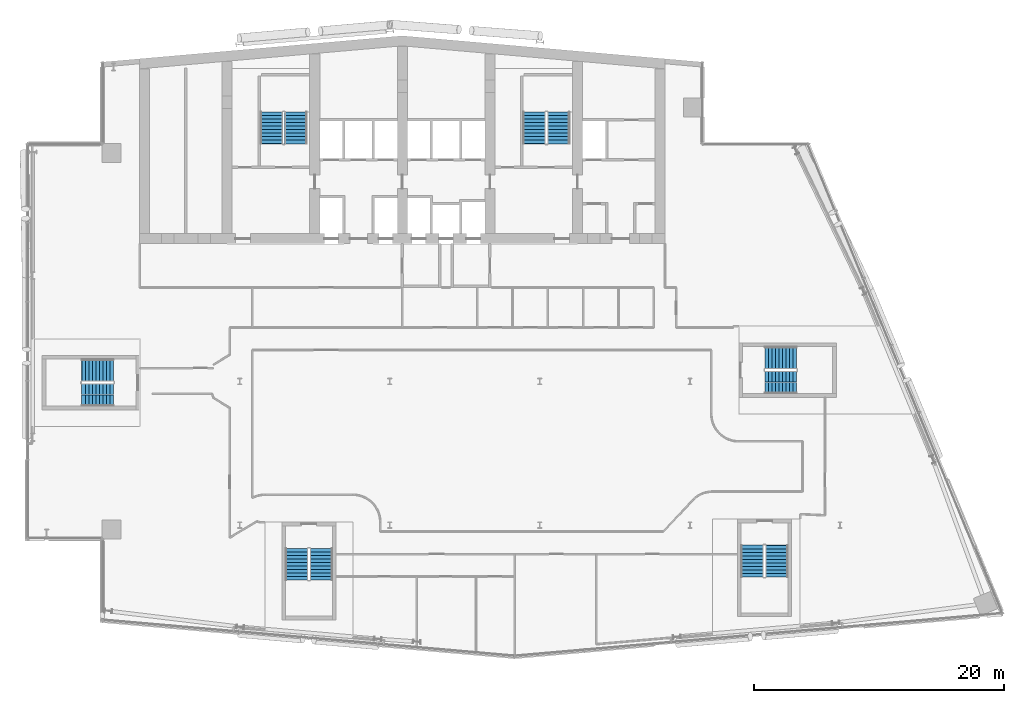
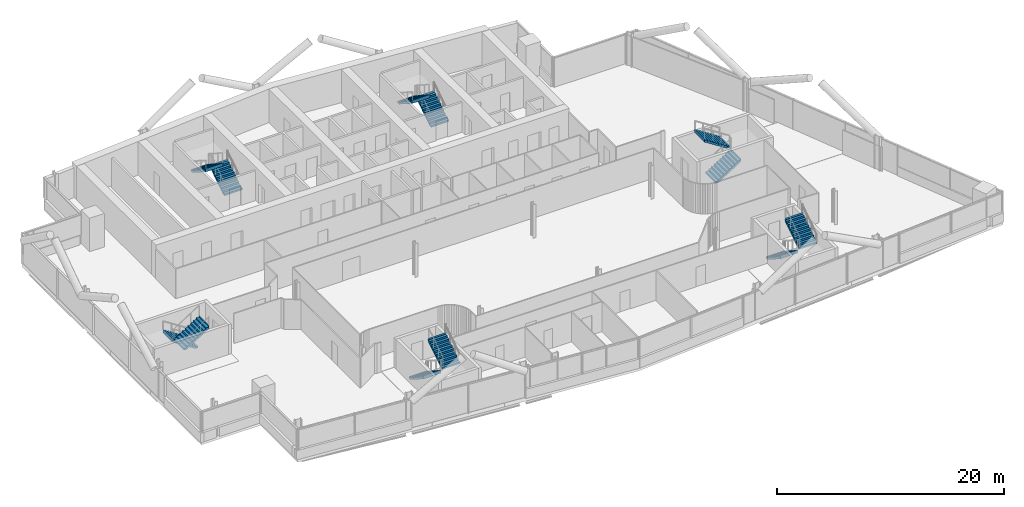
# One storey, part 22 of 29: 12 stair flights, 6 elements without a shape of their own.
"""IFC4 building model written with IfcOpenShell, lengths in metres."""

from ifc_helpers import new_model, si_unit, direction, frame, origin, place, context, subcontext, project, spatial, polyline, outline, extrude, material, type_object, element, aggregate, save


model = new_model("IFC4")

# Units and contexts
model_context = context("Model", 3, precision=1e-05, world=origin(), true_north=direction((0.0, 1.0)))
body_context = subcontext(model_context, "Body", "Model", "MODEL_VIEW")
ifc_project = project(units=[si_unit("LENGTHUNIT", "METRE"), si_unit("AREAUNIT", "SQUARE_METRE"), si_unit("VOLUMEUNIT", "CUBIC_METRE"), si_unit("PLANEANGLEUNIT", "RADIAN"), si_unit("MASSUNIT", "GRAM", prefix="KILO")], contexts=[model_context])

# Site, building, storey
site_placement = place(None, origin())
site = spatial("IfcSite", under=ifc_project, at=site_placement, CompositionType="ELEMENT")
building_placement = place(site_placement, origin())
building = spatial("IfcBuilding", under=site, at=building_placement, Name="Wharfspan Tower", CompositionType="ELEMENT")
storey_placement = place(building_placement, frame((0.0, 0.0, 155.5)))
storey = spatial("IfcBuildingStorey", under=building, at=storey_placement, Name="L37", CompositionType="ELEMENT", Elevation=155.5)

# Stair, stair flights
ifc_material = material(Name="Concrete C40/50", Category="concrete")
stair_type = type_object("IfcStairType", Name="Half-turn stair 20 risers 180 mm", PredefinedType="HALF_TURN_STAIR", material=ifc_material)
stair_1_placement = place(storey_placement, origin())
stair_1 = element("IfcStair", 1, at=stair_1_placement, inside=storey, type_object=stair_type, Name="L37 stair ST1", PredefinedType="HALF_TURN_STAIR")
stair_flight_type = type_object("IfcStairFlightType", Name="Stair flight 20 risers 180 mm", PredefinedType="STRAIGHT", material=ifc_material)
stair_flight_1_placement = place(storey_placement, frame((28.5, 42.0, 0.0), z_axis=(0.0, 0.0, 1.0), x_axis=(0.0, 1.0, 0.0)))
stair_flight_1 = element("IfcStairFlight", 2, at=stair_flight_1_placement, type_object=stair_flight_type, Name="ST1 flight 1", NumberOfRisers=10, NumberOfTreads=9, PredefinedType="STRAIGHT", RiserHeight=0.18, TreadLength=0.28, context=body_context, shape_type="SweptSolid", body=[
    extrude(outline(polyline([(-0.011963, 0.0), (-0.011963, 0.179932), (0.0, 0.179932), (0.280029, 0.179932), (0.280029, 0.360107), (0.560059, 0.360107), (0.560059, 0.540039), (0.840088, 0.540039), (0.840088, 0.719971), (1.120117, 0.719971), (1.120117, 0.899902), (1.399902, 0.899902), (1.399902, 1.080078), (1.679932, 1.080078), (1.679932, 1.26001), (1.959961, 1.26001), (1.959961, 1.439941), (2.23999, 1.439941), (2.23999, 1.620117), (2.52002, 1.620117), (2.531982, 1.800049), (2.531982, 1.441895), (0.2771, 0.0), (-0.011963, 0.0)])), frame((0.0, 0.899902, 0.0), z_axis=(0.0, -1.0, 0.0), x_axis=(1.0, 0.0, 0.0)), (0.0, 0.0, 1.0), 0.899414),
    extrude(outline(polyline([(-0.011963, 0.0), (-0.011963, 0.179932), (0.0, 0.179932), (0.280029, 0.179932), (0.280029, 0.360107), (0.560059, 0.360107), (0.560059, 0.540039), (0.840088, 0.540039), (0.840088, 0.719971), (1.120117, 0.719971), (1.120117, 0.899902), (1.399902, 0.899902), (1.399902, 1.080078), (1.679932, 1.080078), (1.679932, 1.26001), (1.959961, 1.26001), (1.959961, 1.439941), (2.23999, 1.439941), (2.23999, 1.620117), (2.52002, 1.620117), (2.531982, 1.800049), (2.531982, 1.441895), (0.2771, 0.0), (-0.011963, 0.0)])), frame((0.0, -0.000488, 0.0), z_axis=(0.0, -1.0, 0.0), x_axis=(1.0, 0.0, 0.0)), (0.0, 0.0, 1.0), 0.899414),
])
stair_flight_2_placement = place(storey_placement, frame((26.550049, 44.52002, 1.800049), z_axis=(0.0, 0.0, 1.0), x_axis=(0.0, -1.0, 0.0)))
stair_flight_2 = element("IfcStairFlight", 3, at=stair_flight_2_placement, type_object=stair_flight_type, Name="ST1 flight 2", NumberOfRisers=10, NumberOfTreads=9, PredefinedType="STRAIGHT", RiserHeight=0.18, TreadLength=0.28, context=body_context, shape_type="SweptSolid", body=[
    extrude(outline(polyline([(-0.011963, 0.0), (-0.011963, 0.179932), (0.0, 0.179932), (0.280029, 0.179932), (0.280029, 0.360107), (0.560059, 0.360107), (0.560059, 0.540039), (0.840088, 0.540039), (0.840088, 0.719971), (1.120117, 0.719971), (1.120117, 0.899902), (1.399902, 0.899902), (1.399902, 1.080078), (1.679932, 1.080078), (1.679932, 1.26001), (1.959961, 1.26001), (1.959961, 1.439941), (2.23999, 1.439941), (2.23999, 1.620117), (2.52002, 1.620117), (2.531982, 1.800049), (2.531982, 1.441895), (0.2771, 0.0), (-0.011963, 0.0)])), frame((0.0, 0.899902, 0.0), z_axis=(0.0, -1.0, 0.0), x_axis=(1.0, 0.0, 0.0)), (0.0, 0.0, 1.0), 0.899414),
    extrude(outline(polyline([(-0.011963, 0.0), (-0.011963, 0.179932), (0.0, 0.179932), (0.280029, 0.179932), (0.280029, 0.360107), (0.560059, 0.360107), (0.560059, 0.540039), (0.840088, 0.540039), (0.840088, 0.719971), (1.120117, 0.719971), (1.120117, 0.899902), (1.399902, 0.899902), (1.399902, 1.080078), (1.679932, 1.080078), (1.679932, 1.26001), (1.959961, 1.26001), (1.959961, 1.439941), (2.23999, 1.439941), (2.23999, 1.620117), (2.52002, 1.620117), (2.531982, 1.800049), (2.531982, 1.441895), (0.2771, 0.0), (-0.011963, 0.0)])), frame((0.0, -0.000488, 0.0), z_axis=(0.0, -1.0, 0.0), x_axis=(1.0, 0.0, 0.0)), (0.0, 0.0, 1.0), 0.899414),
])
aggregate(stair_1, [stair_flight_1, stair_flight_2])

stair_2_placement = place(storey_placement, origin())
stair_2 = element("IfcStair", 4, at=stair_2_placement, inside=storey, type_object=stair_type, Name="L37 stair ST2", PredefinedType="HALF_TURN_STAIR")
stair_flight_3_placement = place(storey_placement, frame((49.5, 42.0, 0.0), z_axis=(0.0, 0.0, 1.0), x_axis=(0.0, 1.0, 0.0)))
stair_flight_3 = element("IfcStairFlight", 5, at=stair_flight_3_placement, type_object=stair_flight_type, Name="ST2 flight 1", NumberOfRisers=10, NumberOfTreads=9, PredefinedType="STRAIGHT", RiserHeight=0.18, TreadLength=0.28, context=body_context, shape_type="SweptSolid", body=[
    extrude(outline(polyline([(-0.011963, 0.0), (-0.011963, 0.179932), (0.0, 0.179932), (0.280029, 0.179932), (0.280029, 0.360107), (0.560059, 0.360107), (0.560059, 0.540039), (0.840088, 0.540039), (0.840088, 0.719971), (1.120117, 0.719971), (1.120117, 0.899902), (1.399902, 0.899902), (1.399902, 1.080078), (1.679932, 1.080078), (1.679932, 1.26001), (1.959961, 1.26001), (1.959961, 1.439941), (2.23999, 1.439941), (2.23999, 1.620117), (2.52002, 1.620117), (2.531982, 1.800049), (2.531982, 1.441895), (0.2771, 0.0), (-0.011963, 0.0)])), frame((0.0, 0.899902, 0.0), z_axis=(0.0, -1.0, 0.0), x_axis=(1.0, 0.0, 0.0)), (0.0, 0.0, 1.0), 0.899414),
    extrude(outline(polyline([(-0.011963, 0.0), (-0.011963, 0.179932), (0.0, 0.179932), (0.280029, 0.179932), (0.280029, 0.360107), (0.560059, 0.360107), (0.560059, 0.540039), (0.840088, 0.540039), (0.840088, 0.719971), (1.120117, 0.719971), (1.120117, 0.899902), (1.399902, 0.899902), (1.399902, 1.080078), (1.679932, 1.080078), (1.679932, 1.26001), (1.959961, 1.26001), (1.959961, 1.439941), (2.23999, 1.439941), (2.23999, 1.620117), (2.52002, 1.620117), (2.531982, 1.800049), (2.531982, 1.441895), (0.2771, 0.0), (-0.011963, 0.0)])), frame((0.0, -0.000488, 0.0), z_axis=(0.0, -1.0, 0.0), x_axis=(1.0, 0.0, 0.0)), (0.0, 0.0, 1.0), 0.899414),
])
stair_flight_4_placement = place(storey_placement, frame((47.550049, 44.52002, 1.800049), z_axis=(0.0, 0.0, 1.0), x_axis=(0.0, -1.0, 0.0)))
stair_flight_4 = element("IfcStairFlight", 6, at=stair_flight_4_placement, type_object=stair_flight_type, Name="ST2 flight 2", NumberOfRisers=10, NumberOfTreads=9, PredefinedType="STRAIGHT", RiserHeight=0.18, TreadLength=0.28, context=body_context, shape_type="SweptSolid", body=[
    extrude(outline(polyline([(-0.011963, 0.0), (-0.011963, 0.179932), (0.0, 0.179932), (0.280029, 0.179932), (0.280029, 0.360107), (0.560059, 0.360107), (0.560059, 0.540039), (0.840088, 0.540039), (0.840088, 0.719971), (1.120117, 0.719971), (1.120117, 0.899902), (1.399902, 0.899902), (1.399902, 1.080078), (1.679932, 1.080078), (1.679932, 1.26001), (1.959961, 1.26001), (1.959961, 1.439941), (2.23999, 1.439941), (2.23999, 1.620117), (2.52002, 1.620117), (2.531982, 1.800049), (2.531982, 1.441895), (0.2771, 0.0), (-0.011963, 0.0)])), frame((0.0, 0.899902, 0.0), z_axis=(0.0, -1.0, 0.0), x_axis=(1.0, 0.0, 0.0)), (0.0, 0.0, 1.0), 0.899414),
    extrude(outline(polyline([(-0.011963, 0.0), (-0.011963, 0.179932), (0.0, 0.179932), (0.280029, 0.179932), (0.280029, 0.360107), (0.560059, 0.360107), (0.560059, 0.540039), (0.840088, 0.540039), (0.840088, 0.719971), (1.120117, 0.719971), (1.120117, 0.899902), (1.399902, 0.899902), (1.399902, 1.080078), (1.679932, 1.080078), (1.679932, 1.26001), (1.959961, 1.26001), (1.959961, 1.439941), (2.23999, 1.439941), (2.23999, 1.620117), (2.52002, 1.620117), (2.531982, 1.800049), (2.531982, 1.441895), (0.2771, 0.0), (-0.011963, 0.0)])), frame((0.0, -0.000488, 0.0), z_axis=(0.0, -1.0, 0.0), x_axis=(1.0, 0.0, 0.0)), (0.0, 0.0, 1.0), 0.899414),
])
aggregate(stair_2, [stair_flight_3, stair_flight_4])

stair_3_placement = place(storey_placement, origin())
stair_3 = element("IfcStair", 7, at=stair_3_placement, inside=storey, type_object=stair_type, Name="L37 stair ST3", PredefinedType="HALF_TURN_STAIR")
stair_flight_5_placement = place(storey_placement, frame((13.899902, 23.875, 0.0), z_axis=(0.0, 0.0, 1.0), x_axis=(-1.0, 0.0, 0.0)))
stair_flight_5 = element("IfcStairFlight", 8, at=stair_flight_5_placement, type_object=stair_flight_type, Name="ST3 flight 1", NumberOfRisers=10, NumberOfTreads=9, PredefinedType="STRAIGHT", RiserHeight=0.18, TreadLength=0.28, context=body_context, shape_type="SweptSolid", body=[
    extrude(outline(polyline([(-0.011963, 0.0), (-0.011963, 0.179932), (0.0, 0.179932), (0.280029, 0.179932), (0.280029, 0.360107), (0.560059, 0.360107), (0.560059, 0.540039), (0.840088, 0.540039), (0.840088, 0.719971), (1.120117, 0.719971), (1.120117, 0.899902), (1.399902, 0.899902), (1.399902, 1.080078), (1.679932, 1.080078), (1.679932, 1.26001), (1.959961, 1.26001), (1.959961, 1.439941), (2.23999, 1.439941), (2.23999, 1.620117), (2.52002, 1.620117), (2.531982, 1.800049), (2.531982, 1.441895), (0.2771, 0.0), (-0.011963, 0.0)])), frame((0.0, 0.899902, 0.0), z_axis=(0.0, -1.0, 0.0), x_axis=(1.0, 0.0, 0.0)), (0.0, 0.0, 1.0), 0.899414),
    extrude(outline(polyline([(-0.011963, 0.0), (-0.011963, 0.179932), (0.0, 0.179932), (0.280029, 0.179932), (0.280029, 0.360107), (0.560059, 0.360107), (0.560059, 0.540039), (0.840088, 0.540039), (0.840088, 0.719971), (1.120117, 0.719971), (1.120117, 0.899902), (1.399902, 0.899902), (1.399902, 1.080078), (1.679932, 1.080078), (1.679932, 1.26001), (1.959961, 1.26001), (1.959961, 1.439941), (2.23999, 1.439941), (2.23999, 1.620117), (2.52002, 1.620117), (2.531982, 1.800049), (2.531982, 1.441895), (0.2771, 0.0), (-0.011963, 0.0)])), frame((0.0, -0.000488, 0.0), z_axis=(0.0, -1.0, 0.0), x_axis=(1.0, 0.0, 0.0)), (0.0, 0.0, 1.0), 0.899414),
])
stair_flight_6_placement = place(storey_placement, frame((11.379883, 21.925049, 1.800049), z_axis=(0.0, 0.0, 1.0), x_axis=(1.0, 0.0, 0.0)))
stair_flight_6 = element("IfcStairFlight", 9, at=stair_flight_6_placement, type_object=stair_flight_type, Name="ST3 flight 2", NumberOfRisers=10, NumberOfTreads=9, PredefinedType="STRAIGHT", RiserHeight=0.18, TreadLength=0.28, context=body_context, shape_type="SweptSolid", body=[
    extrude(outline(polyline([(-0.011963, 0.0), (-0.011963, 0.179932), (0.0, 0.179932), (0.280029, 0.179932), (0.280029, 0.360107), (0.560059, 0.360107), (0.560059, 0.540039), (0.840088, 0.540039), (0.840088, 0.719971), (1.120117, 0.719971), (1.120117, 0.899902), (1.399902, 0.899902), (1.399902, 1.080078), (1.679932, 1.080078), (1.679932, 1.26001), (1.959961, 1.26001), (1.959961, 1.439941), (2.23999, 1.439941), (2.23999, 1.620117), (2.52002, 1.620117), (2.531982, 1.800049), (2.531982, 1.441895), (0.2771, 0.0), (-0.011963, 0.0)])), frame((0.0, 0.899902, 0.0), z_axis=(0.0, -1.0, 0.0), x_axis=(1.0, 0.0, 0.0)), (0.0, 0.0, 1.0), 0.899414),
    extrude(outline(polyline([(-0.011963, 0.0), (-0.011963, 0.179932), (0.0, 0.179932), (0.280029, 0.179932), (0.280029, 0.360107), (0.560059, 0.360107), (0.560059, 0.540039), (0.840088, 0.540039), (0.840088, 0.719971), (1.120117, 0.719971), (1.120117, 0.899902), (1.399902, 0.899902), (1.399902, 1.080078), (1.679932, 1.080078), (1.679932, 1.26001), (1.959961, 1.26001), (1.959961, 1.439941), (2.23999, 1.439941), (2.23999, 1.620117), (2.52002, 1.620117), (2.531982, 1.800049), (2.531982, 1.441895), (0.2771, 0.0), (-0.011963, 0.0)])), frame((0.0, -0.000488, 0.0), z_axis=(0.0, -1.0, 0.0), x_axis=(1.0, 0.0, 0.0)), (0.0, 0.0, 1.0), 0.899414),
])
aggregate(stair_3, [stair_flight_5, stair_flight_6])

stair_4_placement = place(storey_placement, origin())
stair_4 = element("IfcStair", 10, at=stair_4_placement, inside=storey, type_object=stair_type, Name="L37 stair ST4", PredefinedType="HALF_TURN_STAIR")
stair_flight_7_placement = place(storey_placement, frame((28.564209, 9.634277, 0.0), z_axis=(0.0, 0.0, 1.0), x_axis=(0.0, -1.0, 0.0)))
stair_flight_7 = element("IfcStairFlight", 11, at=stair_flight_7_placement, type_object=stair_flight_type, Name="ST4 flight 1", NumberOfRisers=10, NumberOfTreads=9, PredefinedType="STRAIGHT", RiserHeight=0.18, TreadLength=0.28, context=body_context, shape_type="SweptSolid", body=[
    extrude(outline(polyline([(-0.011963, 0.0), (-0.011963, 0.179932), (0.0, 0.179932), (0.280029, 0.179932), (0.280029, 0.360107), (0.560059, 0.360107), (0.560059, 0.540039), (0.840088, 0.540039), (0.840088, 0.719971), (1.120117, 0.719971), (1.120117, 0.899902), (1.399902, 0.899902), (1.399902, 1.080078), (1.679932, 1.080078), (1.679932, 1.26001), (1.959961, 1.26001), (1.959961, 1.439941), (2.23999, 1.439941), (2.23999, 1.620117), (2.52002, 1.620117), (2.531982, 1.800049), (2.531982, 1.441895), (0.2771, 0.0), (-0.011963, 0.0)])), frame((0.0, 0.899902, 0.0), z_axis=(0.0, -1.0, 0.0), x_axis=(1.0, 0.0, 0.0)), (0.0, 0.0, 1.0), 0.899414),
    extrude(outline(polyline([(-0.011963, 0.0), (-0.011963, 0.179932), (0.0, 0.179932), (0.280029, 0.179932), (0.280029, 0.360107), (0.560059, 0.360107), (0.560059, 0.540039), (0.840088, 0.540039), (0.840088, 0.719971), (1.120117, 0.719971), (1.120117, 0.899902), (1.399902, 0.899902), (1.399902, 1.080078), (1.679932, 1.080078), (1.679932, 1.26001), (1.959961, 1.26001), (1.959961, 1.439941), (2.23999, 1.439941), (2.23999, 1.620117), (2.52002, 1.620117), (2.531982, 1.800049), (2.531982, 1.441895), (0.2771, 0.0), (-0.011963, 0.0)])), frame((0.0, -0.000488, 0.0), z_axis=(0.0, -1.0, 0.0), x_axis=(1.0, 0.0, 0.0)), (0.0, 0.0, 1.0), 0.899414),
])
stair_flight_8_placement = place(storey_placement, frame((30.51416, 7.114258, 1.800049), z_axis=(0.0, 0.0, 1.0), x_axis=(0.0, 1.0, 0.0)))
stair_flight_8 = element("IfcStairFlight", 12, at=stair_flight_8_placement, type_object=stair_flight_type, Name="ST4 flight 2", NumberOfRisers=10, NumberOfTreads=9, PredefinedType="STRAIGHT", RiserHeight=0.18, TreadLength=0.28, context=body_context, shape_type="SweptSolid", body=[
    extrude(outline(polyline([(-0.011963, 0.0), (-0.011963, 0.179932), (0.0, 0.179932), (0.280029, 0.179932), (0.280029, 0.360107), (0.560059, 0.360107), (0.560059, 0.540039), (0.840088, 0.540039), (0.840088, 0.719971), (1.120117, 0.719971), (1.120117, 0.899902), (1.399902, 0.899902), (1.399902, 1.080078), (1.679932, 1.080078), (1.679932, 1.26001), (1.959961, 1.26001), (1.959961, 1.439941), (2.23999, 1.439941), (2.23999, 1.620117), (2.52002, 1.620117), (2.531982, 1.800049), (2.531982, 1.441895), (0.2771, 0.0), (-0.011963, 0.0)])), frame((0.0, 0.899902, 0.0), z_axis=(0.0, -1.0, 0.0), x_axis=(1.0, 0.0, 0.0)), (0.0, 0.0, 1.0), 0.899414),
    extrude(outline(polyline([(-0.011963, 0.0), (-0.011963, 0.179932), (0.0, 0.179932), (0.280029, 0.179932), (0.280029, 0.360107), (0.560059, 0.360107), (0.560059, 0.540039), (0.840088, 0.540039), (0.840088, 0.719971), (1.120117, 0.719971), (1.120117, 0.899902), (1.399902, 0.899902), (1.399902, 1.080078), (1.679932, 1.080078), (1.679932, 1.26001), (1.959961, 1.26001), (1.959961, 1.439941), (2.23999, 1.439941), (2.23999, 1.620117), (2.52002, 1.620117), (2.531982, 1.800049), (2.531982, 1.441895), (0.2771, 0.0), (-0.011963, 0.0)])), frame((0.0, -0.000488, 0.0), z_axis=(0.0, -1.0, 0.0), x_axis=(1.0, 0.0, 0.0)), (0.0, 0.0, 1.0), 0.899414),
])
aggregate(stair_4, [stair_flight_7, stair_flight_8])

stair_5_placement = place(storey_placement, origin())
stair_5 = element("IfcStair", 13, at=stair_5_placement, inside=storey, type_object=stair_type, Name="L37 stair ST5", PredefinedType="HALF_TURN_STAIR")
stair_flight_9_placement = place(storey_placement, frame((64.986328, 9.883789, 0.0), z_axis=(0.0, 0.0, 1.0), x_axis=(0.0, -1.0, 0.0)))
stair_flight_9 = element("IfcStairFlight", 14, at=stair_flight_9_placement, type_object=stair_flight_type, Name="ST5 flight 1", NumberOfRisers=10, NumberOfTreads=9, PredefinedType="STRAIGHT", RiserHeight=0.18, TreadLength=0.28, context=body_context, shape_type="SweptSolid", body=[
    extrude(outline(polyline([(-0.011963, 0.0), (-0.011963, 0.179932), (0.0, 0.179932), (0.280029, 0.179932), (0.280029, 0.360107), (0.560059, 0.360107), (0.560059, 0.540039), (0.840088, 0.540039), (0.840088, 0.719971), (1.120117, 0.719971), (1.120117, 0.899902), (1.399902, 0.899902), (1.399902, 1.080078), (1.679932, 1.080078), (1.679932, 1.26001), (1.959961, 1.26001), (1.959961, 1.439941), (2.23999, 1.439941), (2.23999, 1.620117), (2.52002, 1.620117), (2.531982, 1.800049), (2.531982, 1.441895), (0.2771, 0.0), (-0.011963, 0.0)])), frame((0.0, 0.899902, 0.0), z_axis=(0.0, -1.0, 0.0), x_axis=(1.0, 0.0, 0.0)), (0.0, 0.0, 1.0), 0.899414),
    extrude(outline(polyline([(-0.011963, 0.0), (-0.011963, 0.179932), (0.0, 0.179932), (0.280029, 0.179932), (0.280029, 0.360107), (0.560059, 0.360107), (0.560059, 0.540039), (0.840088, 0.540039), (0.840088, 0.719971), (1.120117, 0.719971), (1.120117, 0.899902), (1.399902, 0.899902), (1.399902, 1.080078), (1.679932, 1.080078), (1.679932, 1.26001), (1.959961, 1.26001), (1.959961, 1.439941), (2.23999, 1.439941), (2.23999, 1.620117), (2.52002, 1.620117), (2.531982, 1.800049), (2.531982, 1.441895), (0.2771, 0.0), (-0.011963, 0.0)])), frame((0.0, -0.000488, 0.0), z_axis=(0.0, -1.0, 0.0), x_axis=(1.0, 0.0, 0.0)), (0.0, 0.0, 1.0), 0.899414),
])
stair_flight_10_placement = place(storey_placement, frame((66.936279, 7.36377, 1.800049), z_axis=(0.0, 0.0, 1.0), x_axis=(0.0, 1.0, 0.0)))
stair_flight_10 = element("IfcStairFlight", 15, at=stair_flight_10_placement, type_object=stair_flight_type, Name="ST5 flight 2", NumberOfRisers=10, NumberOfTreads=9, PredefinedType="STRAIGHT", RiserHeight=0.18, TreadLength=0.28, context=body_context, shape_type="SweptSolid", body=[
    extrude(outline(polyline([(-0.011963, 0.0), (-0.011963, 0.179932), (0.0, 0.179932), (0.280029, 0.179932), (0.280029, 0.360107), (0.560059, 0.360107), (0.560059, 0.540039), (0.840088, 0.540039), (0.840088, 0.719971), (1.120117, 0.719971), (1.120117, 0.899902), (1.399902, 0.899902), (1.399902, 1.080078), (1.679932, 1.080078), (1.679932, 1.26001), (1.959961, 1.26001), (1.959961, 1.439941), (2.23999, 1.439941), (2.23999, 1.620117), (2.52002, 1.620117), (2.531982, 1.800049), (2.531982, 1.441895), (0.2771, 0.0), (-0.011963, 0.0)])), frame((0.0, 0.899902, 0.0), z_axis=(0.0, -1.0, 0.0), x_axis=(1.0, 0.0, 0.0)), (0.0, 0.0, 1.0), 0.899414),
    extrude(outline(polyline([(-0.011963, 0.0), (-0.011963, 0.179932), (0.0, 0.179932), (0.280029, 0.179932), (0.280029, 0.360107), (0.560059, 0.360107), (0.560059, 0.540039), (0.840088, 0.540039), (0.840088, 0.719971), (1.120117, 0.719971), (1.120117, 0.899902), (1.399902, 0.899902), (1.399902, 1.080078), (1.679932, 1.080078), (1.679932, 1.26001), (1.959961, 1.26001), (1.959961, 1.439941), (2.23999, 1.439941), (2.23999, 1.620117), (2.52002, 1.620117), (2.531982, 1.800049), (2.531982, 1.441895), (0.2771, 0.0), (-0.011963, 0.0)])), frame((0.0, -0.000488, 0.0), z_axis=(0.0, -1.0, 0.0), x_axis=(1.0, 0.0, 0.0)), (0.0, 0.0, 1.0), 0.899414),
])
aggregate(stair_5, [stair_flight_9, stair_flight_10])

stair_6_placement = place(storey_placement, origin())
stair_6 = element("IfcStair", 16, at=stair_6_placement, inside=storey, type_object=stair_type, Name="L37 stair ST6", PredefinedType="HALF_TURN_STAIR")
stair_flight_11_placement = place(storey_placement, frame((66.004639, 22.925049, 0.0), z_axis=(0.0, 0.0, 1.0), x_axis=(1.0, 0.0, 0.0)))
stair_flight_11 = element("IfcStairFlight", 17, at=stair_flight_11_placement, type_object=stair_flight_type, Name="ST6 flight 1", NumberOfRisers=10, NumberOfTreads=9, PredefinedType="STRAIGHT", RiserHeight=0.18, TreadLength=0.28, context=body_context, shape_type="SweptSolid", body=[
    extrude(outline(polyline([(-0.011963, 0.0), (-0.011963, 0.179932), (0.0, 0.179932), (0.280029, 0.179932), (0.280029, 0.360107), (0.560059, 0.360107), (0.560059, 0.540039), (0.840088, 0.540039), (0.840088, 0.719971), (1.120117, 0.719971), (1.120117, 0.899902), (1.399902, 0.899902), (1.399902, 1.080078), (1.679932, 1.080078), (1.679932, 1.26001), (1.959961, 1.26001), (1.959961, 1.439941), (2.23999, 1.439941), (2.23999, 1.620117), (2.52002, 1.620117), (2.531982, 1.800049), (2.531982, 1.441895), (0.2771, 0.0), (-0.011963, 0.0)])), frame((0.0, 0.899902, 0.0), z_axis=(0.0, -1.0, 0.0), x_axis=(1.0, 0.0, 0.0)), (0.0, 0.0, 1.0), 0.899414),
    extrude(outline(polyline([(-0.011963, 0.0), (-0.011963, 0.179932), (0.0, 0.179932), (0.280029, 0.179932), (0.280029, 0.360107), (0.560059, 0.360107), (0.560059, 0.540039), (0.840088, 0.540039), (0.840088, 0.719971), (1.120117, 0.719971), (1.120117, 0.899902), (1.399902, 0.899902), (1.399902, 1.080078), (1.679932, 1.080078), (1.679932, 1.26001), (1.959961, 1.26001), (1.959961, 1.439941), (2.23999, 1.439941), (2.23999, 1.620117), (2.52002, 1.620117), (2.531982, 1.800049), (2.531982, 1.441895), (0.2771, 0.0), (-0.011963, 0.0)])), frame((0.0, -0.000488, 0.0), z_axis=(0.0, -1.0, 0.0), x_axis=(1.0, 0.0, 0.0)), (0.0, 0.0, 1.0), 0.899414),
])
stair_flight_12_placement = place(storey_placement, frame((68.524658, 24.875, 1.800049), z_axis=(0.0, 0.0, 1.0), x_axis=(-1.0, 0.0, 0.0)))
stair_flight_12 = element("IfcStairFlight", 18, at=stair_flight_12_placement, type_object=stair_flight_type, Name="ST6 flight 2", NumberOfRisers=10, NumberOfTreads=9, PredefinedType="STRAIGHT", RiserHeight=0.18, TreadLength=0.28, context=body_context, shape_type="SweptSolid", body=[
    extrude(outline(polyline([(-0.011963, 0.0), (-0.011963, 0.179932), (0.0, 0.179932), (0.280029, 0.179932), (0.280029, 0.360107), (0.560059, 0.360107), (0.560059, 0.540039), (0.840088, 0.540039), (0.840088, 0.719971), (1.120117, 0.719971), (1.120117, 0.899902), (1.399902, 0.899902), (1.399902, 1.080078), (1.679932, 1.080078), (1.679932, 1.26001), (1.959961, 1.26001), (1.959961, 1.439941), (2.23999, 1.439941), (2.23999, 1.620117), (2.52002, 1.620117), (2.531982, 1.800049), (2.531982, 1.441895), (0.2771, 0.0), (-0.011963, 0.0)])), frame((0.0, 0.899902, 0.0), z_axis=(0.0, -1.0, 0.0), x_axis=(1.0, 0.0, 0.0)), (0.0, 0.0, 1.0), 0.899414),
    extrude(outline(polyline([(-0.011963, 0.0), (-0.011963, 0.179932), (0.0, 0.179932), (0.280029, 0.179932), (0.280029, 0.360107), (0.560059, 0.360107), (0.560059, 0.540039), (0.840088, 0.540039), (0.840088, 0.719971), (1.120117, 0.719971), (1.120117, 0.899902), (1.399902, 0.899902), (1.399902, 1.080078), (1.679932, 1.080078), (1.679932, 1.26001), (1.959961, 1.26001), (1.959961, 1.439941), (2.23999, 1.439941), (2.23999, 1.620117), (2.52002, 1.620117), (2.531982, 1.800049), (2.531982, 1.441895), (0.2771, 0.0), (-0.011963, 0.0)])), frame((0.0, -0.000488, 0.0), z_axis=(0.0, -1.0, 0.0), x_axis=(1.0, 0.0, 0.0)), (0.0, 0.0, 1.0), 0.899414),
])
aggregate(stair_6, [stair_flight_11, stair_flight_12])

save(model, "model.ifc")
